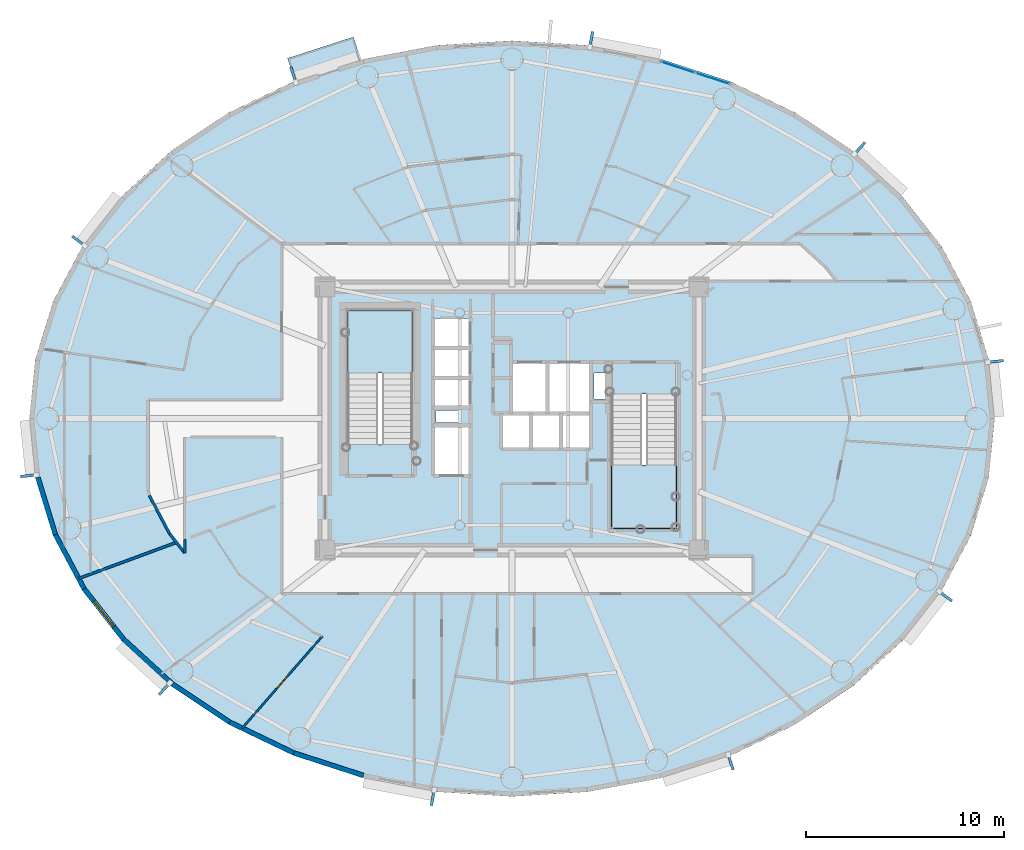
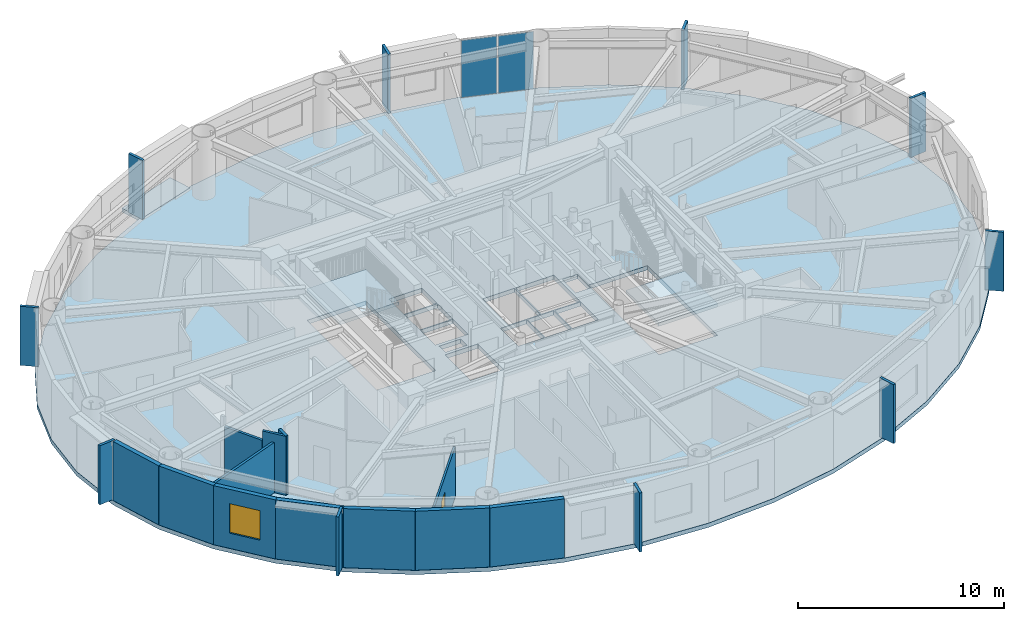
# One storey, part 6 of 19: 12 plates, 12 walls, 4 slabs, 1 door, 1 window, 2 openings, 3 elements without a shape of their own.
"""IFC4 building model written with IfcOpenShell, lengths in metres."""

import ifcopenshell
import ifcopenshell.guid

model = None  # the IFC model being written
_history = None  # IfcOwnerHistory: only IFC2X3 demands one
_inside = {}  # id of a spatial element -> (the spatial element, [elements in it])
_under = {}  # id of a project, library or spatial element -> (it, [spatial elements below it])
_declared = {}  # id of a project -> (the project, [libraries it declares])
_typed = {}  # id of a type object -> (the type object, [elements of that type])
_made_of = {}  # id of a material, layer set ... -> (it, [elements and type objects made of it])


def new_model(schema):
    """Start an empty IFC model of exactly this schema.

    Asked for "IFC4X3", IfcOpenShell would pick the latest addendum, in which some entities
    have other attributes; the version numbers below select the first issue.
    IFC2X3 requires an IfcOwnerHistory on every rooted entity: one is made here for all.
    """
    global model, _history
    if schema == "IFC4X3":
        model = ifcopenshell.file(schema_version=(4, 3, 0, 0))
    else:
        model = ifcopenshell.file(schema=schema)
    _inside.clear()
    _under.clear()
    _declared.clear()
    _typed.clear()
    _made_of.clear()
    _history = None
    if model.schema == "IFC2X3":
        org = make("IfcOrganization", Name="unknown")
        user = make(
            "IfcPersonAndOrganization",
            ThePerson=make("IfcPerson", FamilyName="unknown"),
            TheOrganization=org,
        )
        app = make(
            "IfcApplication",
            ApplicationDeveloper=org,
            Version="unknown",
            ApplicationFullName="unknown",
            ApplicationIdentifier="unknown",
        )
        _history = make(
            "IfcOwnerHistory",
            OwningUser=user,
            OwningApplication=app,
            ChangeAction="ADDED",
            CreationDate=0,
        )
    return model


def make(cls, **values):
    """One entity of the class cls with the attributes given. An attribute that is None is left unset."""
    return model.create_entity(
        cls, **{name: value for name, value in values.items() if value is not None}
    )


def rooted(cls, **values):
    """An entity with a GlobalId (a new one), such as an element, a storey or a relation."""
    return make(cls, GlobalId=ifcopenshell.guid.new(), OwnerHistory=_history, **values)


def si_unit(unit_type, name, prefix=None):
    """IfcSIUnit, for example si_unit("LENGTHUNIT", "METRE", prefix="MILLI")."""
    return make("IfcSIUnit", UnitType=unit_type, Prefix=prefix, Name=name)


def assignment(units):
    """IfcUnitAssignment: the units of a project."""
    return None if units is None else make("IfcUnitAssignment", Units=units)


def point(xyz):
    """IfcCartesianPoint."""
    return None if xyz is None else make("IfcCartesianPoint", Coordinates=xyz)


def direction(xyz):
    """IfcDirection."""
    return None if xyz is None else make("IfcDirection", DirectionRatios=xyz)


def frame(location, z_axis=None, x_axis=None):
    """IfcAxis2Placement3D, a coordinate frame: its origin and axes. An axis left out is left unset."""
    return make(
        "IfcAxis2Placement3D",
        Location=point(location),
        Axis=direction(z_axis),
        RefDirection=direction(x_axis),
    )


def frame_2d(location, x_axis=None):
    """IfcAxis2Placement2D, a coordinate frame in the plane: its origin and x axis."""
    return make(
        "IfcAxis2Placement2D", Location=point(location), RefDirection=direction(x_axis)
    )


def origin():
    """The frame at (0, 0, 0) with its axes left unset."""
    return frame((0.0, 0.0, 0.0))


def origin_2d():
    """The frame at (0, 0) in the plane with its x axis left unset."""
    return frame_2d((0.0, 0.0))


def place(relative_to, where):
    """IfcLocalPlacement: puts the frame where relative to a parent placement (None: the world)."""
    return make(
        "IfcLocalPlacement", PlacementRelTo=relative_to, RelativePlacement=where
    )


def context(
    kind, dimensions, precision=None, world=None, true_north=None, identifier=None
):
    """IfcGeometricRepresentationContext, for example the 3D "Model" context."""
    return make(
        "IfcGeometricRepresentationContext",
        ContextIdentifier=identifier,
        ContextType=kind,
        CoordinateSpaceDimension=dimensions,
        Precision=precision,
        WorldCoordinateSystem=world,
        TrueNorth=true_north,
    )


def subcontext(parent, identifier, kind, view, scale=None):
    """IfcGeometricRepresentationSubContext, for example "Body" below "Model"."""
    return make(
        "IfcGeometricRepresentationSubContext",
        ContextIdentifier=identifier,
        ContextType=kind,
        ParentContext=parent,
        TargetScale=scale,
        TargetView=view,
    )


def project(units=None, contexts=None):
    """IfcProject with its units and contexts."""
    return rooted(
        "IfcProject",
        Name="project",
        RepresentationContexts=contexts,
        UnitsInContext=assignment(units),
    )


def spatial(cls, under=None, at=None, **own):
    """A site, building, storey or space (cls), placed at a placement, below another one or the project."""
    s = rooted(cls, ObjectPlacement=at, **own)
    if under is not None:
        _under.setdefault(under.id(), (under, []))[1].append(s)
    return s


def polyline(points):
    """IfcPolyline through the points."""
    return make("IfcPolyline", Points=[point(p) for p in points])


def profile(cls, at=None, kind="AREA", **sizes):
    """A parametric profile (cls). Its sizes go by their IFC names, for example OverallWidth=200.0."""
    return make(cls, ProfileType=kind, Position=at, **sizes)


def rectangle(**sizes):
    """IfcRectangleProfileDef."""
    return profile("IfcRectangleProfileDef", **sizes)


def outline(outer, holes=None, kind="AREA"):
    """IfcArbitraryClosedProfileDef: a profile drawn as a closed curve; with holes, ...WithVoids."""
    if holes is None:
        return make("IfcArbitraryClosedProfileDef", ProfileType=kind, OuterCurve=outer)
    return make(
        "IfcArbitraryProfileDefWithVoids",
        ProfileType=kind,
        OuterCurve=outer,
        InnerCurves=holes,
    )


def extrude(swept, where, along, depth):
    """IfcExtrudedAreaSolid: the profile swept, set in the frame where, extruded along a direction by depth."""
    return make(
        "IfcExtrudedAreaSolid",
        SweptArea=swept,
        Position=where,
        ExtrudedDirection=direction(along),
        Depth=depth,
    )


def shape(context_of_items, identifier, shape_type, items):
    """IfcShapeRepresentation: the items that make up one representation, for example the "Body"."""
    return make(
        "IfcShapeRepresentation",
        ContextOfItems=context_of_items,
        RepresentationIdentifier=identifier,
        RepresentationType=shape_type,
        Items=items,
    )


def source(mapping_origin, context_of_items, identifier, shape_type, items):
    """IfcRepresentationMap: a shape defined once, which mapped items show again and again."""
    return make(
        "IfcRepresentationMap",
        MappingOrigin=mapping_origin,
        MappedRepresentation=shape(context_of_items, identifier, shape_type, items),
    )


def transform(
    local_origin,
    x_axis=None,
    y_axis=None,
    z_axis=None,
    scale=None,
    scale2=None,
    scale3=None,
    uniform=True,
):
    """IfcCartesianTransformationOperator3D, or its non-uniform kind. x_axis, y_axis, z_axis: its Axis1, 2, 3."""
    if uniform:
        return make(
            "IfcCartesianTransformationOperator3D",
            Axis1=direction(x_axis),
            Axis2=direction(y_axis),
            LocalOrigin=point(local_origin),
            Scale=scale,
            Axis3=direction(z_axis),
        )
    return make(
        "IfcCartesianTransformationOperator3DnonUniform",
        Axis1=direction(x_axis),
        Axis2=direction(y_axis),
        LocalOrigin=point(local_origin),
        Scale=scale,
        Axis3=direction(z_axis),
        Scale2=scale2,
        Scale3=scale3,
    )


def mapped(mapping_source, mapping_target):
    """IfcMappedItem: shows the shape of a source again, moved by a transform."""
    return make(
        "IfcMappedItem", MappingSource=mapping_source, MappingTarget=mapping_target
    )


def material(Name=None, Category=None):
    """IfcMaterial."""
    return make("IfcMaterial", Name=Name, Category=Category)


def layer(
    of_material, thickness, ventilated=None, Name=None, Category=None, Priority=None
):
    """IfcMaterialLayer: one layer of a wall or slab, of a material (None: an air gap)."""
    return make(
        "IfcMaterialLayer",
        Material=of_material,
        LayerThickness=thickness,
        IsVentilated=ventilated,
        Name=Name,
        Category=Category,
        Priority=Priority,
    )


def layer_set(layers, Name=None):
    """IfcMaterialLayerSet."""
    return make("IfcMaterialLayerSet", MaterialLayers=layers, LayerSetName=Name)


def made_of(thing, what):
    """Note that an element or type object is made of a material, layer set ...; save() writes the relation."""
    if what is not None:
        _made_of.setdefault(what.id(), (what, []))[1].append(thing)
    return thing


def type_object(cls, material=None, **own):
    """A type object (cls), such as IfcWallType, which elements share."""
    return made_of(rooted(cls, **own), material)


def element(
    cls,
    number,
    at=None,
    inside=None,
    cuts=None,
    type_object=None,
    material=None,
    context=None,
    identifier="Body",
    shape_type=None,
    held_by="IfcProductDefinitionShape",
    body=None,
    shapes=None,
    **own,
):
    """One element of the class cls, such as IfcWall. Its Tag is "e" and its number.

    at: its placement. inside: the storey or other place that contains it. cuts: it is an
    opening in that element (IfcRelVoidsElement). A single representation is given by context,
    identifier, shape_type and body (its items); several are given by shapes. held_by: the class
    of the entity that holds the representations. save() writes the other relations.
    """
    e = rooted(cls, Tag="e%d" % number, ObjectPlacement=at, **own)
    if body is not None:
        shapes = [shape(context, identifier, shape_type, body)]
    if shapes is not None:
        e.Representation = make(held_by, Representations=shapes)
    if inside is not None:
        _inside.setdefault(inside.id(), (inside, []))[1].append(e)
    if cuts is not None:
        rooted(
            "IfcRelVoidsElement", RelatingBuildingElement=cuts, RelatedOpeningElement=e
        )
    if type_object is not None:
        _typed.setdefault(type_object.id(), (type_object, []))[1].append(e)
    return made_of(e, material)


def fill(opening, filler):
    """IfcRelFillsElement: the door or window that sits in an opening."""
    return rooted(
        "IfcRelFillsElement",
        RelatingOpeningElement=opening,
        RelatedBuildingElement=filler,
    )


def aggregate(whole, parts):
    """IfcRelAggregates: a whole, such as a stair, and the parts it consists of."""
    return rooted("IfcRelAggregates", RelatingObject=whole, RelatedObjects=parts)


def save(model, path):
    """Write the relations noted so far, then the file.

    IfcRelAggregates (storeys below a building ...), IfcRelContainedInSpatialStructure (elements
    in a storey), IfcRelDefinesByType, IfcRelAssociatesMaterial and IfcRelDeclares: one each for
    every whole, place, type object, material and project.
    """
    for whole, parts in _under.values():
        aggregate(whole, parts)
    for where, things in _inside.values():
        rooted(
            "IfcRelContainedInSpatialStructure",
            RelatedElements=things,
            RelatingStructure=where,
        )
    for kind, things in _typed.values():
        rooted("IfcRelDefinesByType", RelatedObjects=things, RelatingType=kind)
    for what, things in _made_of.values():
        rooted("IfcRelAssociatesMaterial", RelatedObjects=things, RelatingMaterial=what)
    for by, libraries in _declared.values():
        rooted("IfcRelDeclares", RelatingContext=by, RelatedDefinitions=libraries)
    model.write(path)


model = new_model("IFC4")

# Units and contexts
model_context = context("Model", 3, precision=1e-05, world=origin(), true_north=direction((0.0, 1.0)))
body_context = subcontext(model_context, "Body", "Model", "MODEL_VIEW")
ifc_project = project(units=[si_unit("LENGTHUNIT", "METRE"), si_unit("AREAUNIT", "SQUARE_METRE"), si_unit("VOLUMEUNIT", "CUBIC_METRE"), si_unit("PLANEANGLEUNIT", "RADIAN"), si_unit("MASSUNIT", "GRAM", prefix="KILO")], contexts=[model_context])

# Site, building, storey
site_placement = place(None, origin())
site = spatial("IfcSite", under=ifc_project, at=site_placement, CompositionType="ELEMENT")
building_placement = place(site_placement, origin())
building = spatial("IfcBuilding", under=site, at=building_placement, Name="Linh Dai School and Residence Tower", CompositionType="ELEMENT")
storey_placement = place(building_placement, frame((0.0, 0.0, 217.800048828125)))
storey = spatial("IfcBuildingStorey", under=building, at=storey_placement, Name="L53", CompositionType="ELEMENT", Elevation=217.800048828125)

# Slabs
ifc_material_1 = material(Name="Concrete B45 (C35/45)", Category="concrete")
ifc_layer_1 = layer(ifc_material_1, 0.219970703125)
ifc_layer_set_1 = layer_set([ifc_layer_1], Name="Concrete B45 (C35/45)")
slab_type_1 = type_object("IfcSlabType", Name="SLB-BALC-220", PredefinedType="FLOOR", material=ifc_layer_set_1)
slab_1_placement = place(storey_placement, frame((0.0, 0.0, -0.219970703125)))
element("IfcSlab", 1, at=slab_1_placement, inside=storey, type_object=slab_type_1, Name="L53 Sliding Balcony Slab 13", PredefinedType="FLOOR", context=body_context, shape_type="SweptSolid", body=[
    extrude(outline(polyline([(25.05029296875, 43.980224609375), (28.3818359375, 45.060791015625), (27.980712890625, 46.29736328125), (24.649169921875, 45.216796875), (25.05029296875, 43.980224609375)])), origin(), (0.0, 0.0, 1.0), 0.219970703125),
])
ifc_layer_2 = layer(ifc_material_1, 0.25)
ifc_layer_set_2 = layer_set([ifc_layer_2], Name="Concrete B45 (C35/45)")
slab_type_2 = type_object("IfcSlabType", Name="SLB-FLR250", PredefinedType="FLOOR", material=ifc_layer_set_2)
slab_2_placement = place(storey_placement, frame((0.0, 0.0, -0.25)))
element("IfcSlab", 2, at=slab_2_placement, inside=storey, type_object=slab_type_2, Name="L53 Composite Structural Floor Slab", PredefinedType="FLOOR", context=body_context, shape_type="SweptSolid", body=[
    extrude(outline(polyline([(60.39990234375, 27.0), (60.099609375, 29.98876953125), (59.205810546875, 32.90380859375), (57.740478515625, 35.673583984375), (55.739990234375, 38.229736328125), (53.25341796875, 40.50927734375), (50.342041015625, 42.456298828125), (47.077392578125, 44.022705078125), (43.5400390625, 45.169921875), (39.81689453125, 45.869873046875), (36.0, 46.10498046875), (32.18310546875, 45.869873046875), (28.4599609375, 45.169921875), (24.922607421875, 44.022705078125), (21.657958984375, 42.456298828125), (18.74658203125, 40.50927734375), (16.260009765625, 38.229736328125), (14.259521484375, 35.673583984375), (12.794189453125, 32.90380859375), (11.900390625, 29.98876953125), (11.60009765625, 27.0), (11.900390625, 24.01123046875), (12.794189453125, 21.09619140625), (14.259521484375, 18.326416015625), (16.260009765625, 15.770263671875), (18.74658203125, 13.49072265625), (21.657958984375, 11.543701171875), (24.922607421875, 9.977294921875), (28.4599609375, 8.830078125), (32.18310546875, 8.130126953125), (36.0, 7.89501953125), (39.81689453125, 8.130126953125), (43.5400390625, 8.830078125), (47.077392578125, 9.977294921875), (50.342041015625, 11.543701171875), (53.25341796875, 13.49072265625), (55.739990234375, 15.770263671875), (57.740478515625, 18.326416015625), (59.205810546875, 21.09619140625), (60.099609375, 24.01123046875), (60.39990234375, 27.0)]), holes=[polyline([(30.97998046875, 25.699951171875), (30.97998046875, 32.5), (27.679931640625, 32.5), (27.679931640625, 25.699951171875), (30.97998046875, 25.699951171875)]), polyline([(41.02001953125, 28.25), (41.02001953125, 21.449951171875), (44.320068359375, 21.449951171875), (44.320068359375, 28.25), (41.02001953125, 28.25)]), polyline([(35.97998046875, 27.280029296875), (37.77001953125, 27.280029296875), (37.77001953125, 29.820068359375), (35.97998046875, 29.820068359375), (35.97998046875, 27.280029296875)]), polyline([(32.030029296875, 24.1298828125), (33.8701171875, 24.1298828125), (33.8701171875, 26.6201171875), (32.030029296875, 26.6201171875), (32.030029296875, 24.1298828125)]), polyline([(37.830078125, 27.280029296875), (39.969970703125, 27.280029296875), (39.969970703125, 29.820068359375), (37.830078125, 29.820068359375), (37.830078125, 27.280029296875)]), polyline([(32.030029296875, 27.580078125), (33.8701171875, 27.580078125), (33.8701171875, 29.030029296875), (32.030029296875, 29.030029296875), (32.030029296875, 27.580078125)]), polyline([(32.030029296875, 29.090087890625), (33.8701171875, 29.090087890625), (33.8701171875, 30.550048828125), (32.030029296875, 30.550048828125), (32.030029296875, 29.090087890625)]), polyline([(32.030029296875, 30.610107421875), (33.8701171875, 30.610107421875), (33.8701171875, 32.070068359375), (32.030029296875, 32.070068359375), (32.030029296875, 30.610107421875)]), polyline([(35.47998046875, 25.47998046875), (36.929931640625, 25.47998046875), (36.929931640625, 27.219970703125), (35.47998046875, 27.219970703125), (35.47998046875, 25.47998046875)]), polyline([(36.989990234375, 25.47998046875), (38.449951171875, 25.47998046875), (38.449951171875, 27.219970703125), (36.989990234375, 27.219970703125), (36.989990234375, 25.47998046875)]), polyline([(38.510009765625, 25.47998046875), (39.969970703125, 25.47998046875), (39.969970703125, 27.219970703125), (38.510009765625, 27.219970703125), (38.510009765625, 25.47998046875)]), polyline([(40.14990234375, 28.0), (40.14990234375, 29.300048828125), (41.0, 29.300048828125), (41.0, 28.280029296875), (40.989990234375, 28.280029296875), (40.989990234375, 28.0), (40.14990234375, 28.0)]), polyline([(32.14990234375, 26.800048828125), (33.35009765625, 26.800048828125), (33.35009765625, 27.39990234375), (32.14990234375, 27.39990234375), (32.14990234375, 26.800048828125)])]), origin(), (0.0, 0.0, 1.0), 0.25),
])

# Stair, slab
stair_type = type_object("IfcStairType", Name="ST-DOG-1550-R1442", PredefinedType="HALF_TURN_STAIR", material=ifc_material_1)
stair_1_placement = place(storey_placement, origin())
stair_1 = element("IfcStair", 3, at=stair_1_placement, inside=storey, type_object=stair_type, Name="L53 Core Smokeproof Exit Stair ST1", PredefinedType="HALF_TURN_STAIR")
ifc_layer_3 = layer(ifc_material_1, 0.199951171875)
ifc_layer_set_3 = layer_set([ifc_layer_3], Name="Concrete B45 (C35/45)")
slab_type_3 = type_object("IfcSlabType", Name="SLB-ST-LANDING-200", PredefinedType="LANDING", material=ifc_layer_set_3)
slab_3_placement = place(storey_placement, frame((0.0, 0.0, 1.675048828125)))
slab_3 = element("IfcSlab", 4, at=slab_3_placement, type_object=slab_type_3, Name="ST1 landing 1", PredefinedType="LANDING", context=body_context, shape_type="SweptSolid", body=[
    extrude(outline(polyline([(30.97998046875, 29.300048828125), (30.97998046875, 32.5), (27.679931640625, 32.5), (27.679931640625, 29.300048828125), (30.97998046875, 29.300048828125)])), origin(), (0.0, 0.0, 1.0), 0.199951171875),
])
aggregate(stair_1, [slab_3])

stair_2_placement = place(storey_placement, origin())
stair_2 = element("IfcStair", 5, at=stair_2_placement, inside=storey, type_object=stair_type, Name="L53 Core Smokeproof Exit Stair ST2", PredefinedType="HALF_TURN_STAIR")
slab_4_placement = place(storey_placement, frame((0.0, 0.0, 1.675048828125)))
slab_4 = element("IfcSlab", 6, at=slab_4_placement, type_object=slab_type_3, Name="ST2 landing 1", PredefinedType="LANDING", context=body_context, shape_type="SweptSolid", body=[
    extrude(outline(polyline([(41.02001953125, 24.64990234375), (41.02001953125, 21.449951171875), (44.320068359375, 21.449951171875), (44.320068359375, 24.64990234375), (41.02001953125, 24.64990234375)])), origin(), (0.0, 0.0, 1.0), 0.199951171875),
])
aggregate(stair_2, [slab_4])

# Plates
ifc_material_2 = material(Name="Precast Concrete B45 (C35/45)", Category="concrete")
ifc_layer_4 = layer(ifc_material_2, 0.139892578125)
ifc_layer_set_4 = layer_set([ifc_layer_4], Name="Precast Concrete B45 (C35/45)")
plate_type_1 = type_object("IfcPlateType", Name="FIN-TC-900x140", PredefinedType="USERDEFINED", material=ifc_layer_set_4)
shared_shape_1 = source(origin(), body_context, "Body", "SweptSolid", [
    extrude(rectangle(XDim=0.89990234375, YDim=0.139892578125, at=origin_2d()), origin(), (0.0, 0.0, 1.0), 3.5),
])
for number, where, z_axis, x_axis, name in (
    (7, (60.39697265625, 29.885498046875, 0.0), (0.0, 0.0, 1.0), (0.99498620644, 0.100012244219, 0.0), "L53 Precast Terracotta Radial Fin 01"),
    (8, (53.541748046875, 40.632080078125, 0.0), (0.0, 0.0, 1.0), (0.675757574408, 0.737123938446, 0.0), "L53 Precast Terracotta Radial Fin 05"),
    (9, (39.995361328125, 46.12646484375, 0.0), (0.0, 0.0, 1.0), (0.18474448537, 0.982786586765, 0.0), "L53 Precast Terracotta Radial Fin 09"),
    (10, (24.95654296875, 44.33349609375, 0.0), (0.0, 0.0, 1.0), (-0.308501065272, 0.951223997135, 0.0), "L53 Precast Terracotta Radial Fin 13"),
    (11, (14.115234375, 35.952392578125, 0.0), (0.0, 0.0, 1.0), (-0.787486677066, 0.616331674867, 0.0), "L53 Precast Terracotta Radial Fin 17"),
    (12, (11.60302734375, 24.114501953125, 0.0), (0.0, 0.0, 1.0), (-0.99498620644, -0.100012244219, 0.0), "L53 Precast Terracotta Radial Fin 21"),
    (13, (18.458251953125, 13.367919921875, 0.0), (0.0, 0.0, 1.0), (-0.675756089102, -0.737125300096, 0.0), "L53 Precast Terracotta Radial Fin 25"),
    (14, (32.004638671875, 7.87353515625, 0.0), (0.0, 0.0, 1.0), (-0.18474448537, -0.982786586765, 0.0), "L53 Precast Terracotta Radial Fin 29"),
    (15, (47.04345703125, 9.66650390625, 0.0), (0.0, 0.0, 1.0), (0.308501065272, -0.951223997135, 0.0), "L53 Precast Terracotta Radial Fin 33"),
    (16, (57.884765625, 18.047607421875, 0.0), (0.0, 0.0, 1.0), (0.787485171888, -0.616333598027, 0.0), "L53 Precast Terracotta Radial Fin 37"),
):
    element("IfcPlate", number, at=place(storey_placement, frame(where, z_axis=z_axis, x_axis=x_axis)), inside=storey, type_object=plate_type_1, Name=name, ObjectType="RADIAL FIN", PredefinedType="USERDEFINED", context=body_context, shape_type="MappedRepresentation", body=[
        mapped(shared_shape_1, transform((0.0, 0.0, 0.0), x_axis=(1.0, 0.0, 0.0), y_axis=(0.0, 1.0, 0.0), z_axis=(0.0, 0.0, 1.0), scale=1.0)),
    ])

# Curtain wall, plates
ifc_material_3 = material(Name="Aluminium Anodised Curtain Wall", Category="aluminium")
ifc_layer_5 = layer(ifc_material_3, 0.14990234375)
ifc_layer_set_5 = layer_set([ifc_layer_5], Name="Aluminium Anodised Curtain Wall")
curtain_wall_type = type_object("IfcCurtainWallType", Name="CW-SYS-4", PredefinedType="USERDEFINED", material=ifc_layer_set_5)
curtain_wall_placement = place(storey_placement, origin())
curtain_wall = element("IfcCurtainWall", 17, at=curtain_wall_placement, inside=storey, type_object=curtain_wall_type, Name="L53 CW4 Curtain Wall 08", ObjectType="RIBBON CURTAIN WALL", PredefinedType="USERDEFINED")
ifc_material_4 = material(Name="Double Low-E Insulated Glazing", Category="glass")
ifc_layer_6 = layer(ifc_material_4, 0.02587890625)
ifc_layer_set_6 = layer_set([ifc_layer_6], Name="Double Low-E Insulated Glazing")
plate_type_2 = type_object("IfcPlateType", Name="CW-SYS-4-PAN", PredefinedType="CURTAIN_PANEL", material=ifc_layer_set_6)
shared_shape_2 = source(origin(), body_context, "Body", "SweptSolid", [
    extrude(rectangle(XDim=1.773193359375, YDim=0.02587890625, at=origin_2d()), origin(), (0.0, 0.0, 1.0), 3.39599609375),
])
plate_1_placement = place(storey_placement, frame((44.402099609375, 44.75927734375, 0.052001953125), z_axis=(0.0, 0.0, 1.0), x_axis=(0.951223997135, -0.308501065272, 0.0)))
plate_1 = element("IfcPlate", 18, at=plate_1_placement, type_object=plate_type_2, Name="CW4 panel 1.1", PredefinedType="CURTAIN_PANEL", context=body_context, shape_type="MappedRepresentation", body=[
    mapped(shared_shape_2, transform((0.0, 0.0, 0.0), x_axis=(1.0, 0.0, 0.0), y_axis=(0.0, 1.0, 0.0), z_axis=(0.0, 0.0, 1.0), scale=1.0)),
])
plate_2_placement = place(storey_placement, frame((46.13818359375, 44.196044921875, 0.052001953125), z_axis=(0.0, 0.0, 1.0), x_axis=(0.951223997135, -0.308501065272, 0.0)))
plate_2 = element("IfcPlate", 19, at=plate_2_placement, type_object=plate_type_2, Name="CW4 panel 2.1", PredefinedType="CURTAIN_PANEL", context=body_context, shape_type="MappedRepresentation", body=[
    mapped(shared_shape_2, transform((0.0, 0.0, 0.0), x_axis=(1.0, 0.0, 0.0), y_axis=(0.0, 1.0, 0.0), z_axis=(0.0, 0.0, 1.0), scale=1.0)),
])
aggregate(curtain_wall, [plate_1, plate_2])

# Walls
ifc_layer_7 = layer(ifc_material_2, 0.239990234375)
ifc_layer_set_7 = layer_set([ifc_layer_7], Name="Precast Concrete B45 (C35/45)")
wall_type_1 = type_object("IfcWallType", Name="EW-TC-240", PredefinedType="SOLIDWALL", material=ifc_layer_set_7)
wall_1_placement = place(storey_placement, frame((12.90966796875, 21.14404296875, 0.0), z_axis=(0.0, 0.0, 1.0), x_axis=(-0.293132907334, 0.95607170162, 0.0)))
element("IfcWall", 20, at=wall_1_placement, inside=storey, type_object=wall_type_1, Name="L53 Terracotta Exterior Wall 22", PredefinedType="SOLIDWALL", context=body_context, shape_type="SweptSolid", body=[
    extrude(rectangle(XDim=3.02490234375, YDim=0.239990234375, at=frame_2d((1.512451171875, 0.0))), origin(), (0.0, 0.0, 1.0), 3.5),
])
wall_2_placement = place(storey_placement, frame((14.3642578125, 18.394775390625, 0.0), z_axis=(0.0, 0.0, 1.0), x_axis=(-0.46766049993, 0.883908172157, 0.0)))
element("IfcWall", 21, at=wall_2_placement, inside=storey, type_object=wall_type_1, Name="L53 Terracotta Exterior Wall 23", PredefinedType="SOLIDWALL", context=body_context, shape_type="SweptSolid", body=[
    extrude(rectangle(XDim=3.1103515625, YDim=0.239990234375, at=frame_2d((1.55517578125, 0.0))), origin(), (0.0, 0.0, 1.0), 3.5),
])

# Wall, opening, window
wall_3_placement = place(storey_placement, frame((16.3515625, 15.85546875, 0.0), z_axis=(0.0, 0.0, 1.0), x_axis=(-0.616312344705, 0.787501805562, 0.0)))
wall_3 = element("IfcWall", 22, at=wall_3_placement, inside=storey, type_object=wall_type_1, Name="L53 Terracotta Exterior Wall 24", PredefinedType="SOLIDWALL", context=body_context, shape_type="SweptSolid", body=[
    extrude(rectangle(XDim=3.224609375, YDim=0.239990234375, at=frame_2d((1.6123046875, 0.0))), origin(), (0.0, 0.0, 1.0), 3.5),
])
opening_1_placement = place(wall_3_placement, frame((0.81201171875, 0.0, 0.89990234375)))
opening_1 = element("IfcOpeningElement", 23, at=opening_1_placement, cuts=wall_3, Name="Opening W2", PredefinedType="OPENING", context=body_context, shape_type="SweptSolid", body=[
    extrude(rectangle(XDim=1.60009765625, YDim=1.75, at=origin_2d()), frame((0.800048828125, 0.1298828125, 0.875), z_axis=(0.0, -1.0, 0.0), x_axis=(1.0, 0.0, 0.0)), (0.0, 0.0, 1.0), 0.260009765625),
])
window_type = type_object("IfcWindowType", Name="WN-RES-1600x1750", PartitioningType="DOUBLE_PANEL_VERTICAL", PredefinedType="WINDOW", material=ifc_material_4)
shared_shape_3 = source(origin(), body_context, "Body", "SweptSolid", [
    extrude(rectangle(XDim=1.60009765625, YDim=1.75, at=origin_2d()), frame((0.800048828125, 0.030029296875, 0.875), z_axis=(0.0, -1.0, 0.0), x_axis=(1.0, 0.0, 0.0)), (0.0, 0.0, 1.0), 0.06005859375),
])
window_placement = place(opening_1_placement, origin())
window = element("IfcWindow", 24, at=window_placement, inside=storey, type_object=window_type, Name="L53 Exterior Window 24.1", OverallHeight=1.75, OverallWidth=1.60009765625, PartitioningType="DOUBLE_PANEL_VERTICAL", PredefinedType="WINDOW", context=body_context, shape_type="MappedRepresentation", body=[
    mapped(shared_shape_3, transform((0.0, 0.0, 0.0), x_axis=(1.0, 0.0, 0.0), y_axis=(0.0, 1.0, 0.0), z_axis=(0.0, 0.0, 1.0), scale=1.0)),
])
fill(opening_1, window)

# Walls
wall_4_placement = place(storey_placement, frame((18.82373046875, 13.589111328125, 0.0), z_axis=(0.0, 0.0, 1.0), x_axis=(-0.737123922599, 0.675757591694, 0.0)))
element("IfcWall", 25, at=wall_4_placement, inside=storey, type_object=wall_type_1, Name="L53 Terracotta Exterior Wall 25", PredefinedType="SOLIDWALL", context=body_context, shape_type="SweptSolid", body=[
    extrude(rectangle(XDim=3.353759765625, YDim=0.239990234375, at=frame_2d((1.6767578125, 0.0))), origin(), (0.0, 0.0, 1.0), 3.5),
])
wall_5_placement = place(storey_placement, frame((21.719970703125, 11.65234375, 0.0), z_axis=(0.0, 0.0, 1.0), x_axis=(-0.831262496074, 0.555880079352, 0.0)))
element("IfcWall", 26, at=wall_5_placement, inside=storey, type_object=wall_type_1, Name="L53 Terracotta Exterior Wall 26", PredefinedType="SOLIDWALL", context=body_context, shape_type="SweptSolid", body=[
    extrude(rectangle(XDim=3.484130859375, YDim=0.239990234375, at=frame_2d((1.7421875, 0.0))), origin(), (0.0, 0.0, 1.0), 3.5),
])
wall_6_placement = place(storey_placement, frame((24.968994140625, 10.093505859375, 0.0), z_axis=(0.0, 0.0, 1.0), x_axis=(-0.901598104751, 0.432574684313, 0.0)))
element("IfcWall", 27, at=wall_6_placement, inside=storey, type_object=wall_type_1, Name="L53 Terracotta Exterior Wall 27", PredefinedType="SOLIDWALL", context=body_context, shape_type="SweptSolid", body=[
    extrude(rectangle(XDim=3.603515625, YDim=0.239990234375, at=frame_2d((1.8017578125, 0.0))), origin(), (0.0, 0.0, 1.0), 3.5),
])
wall_7_placement = place(storey_placement, frame((28.49072265625, 8.951171875, 0.0), z_axis=(0.0, 0.0, 1.0), x_axis=(-0.951210789182, 0.308541787354, 0.0)))
element("IfcWall", 28, at=wall_7_placement, inside=storey, type_object=wall_type_1, Name="L53 Terracotta Exterior Wall 28", PredefinedType="SOLIDWALL", context=body_context, shape_type="SweptSolid", body=[
    extrude(rectangle(XDim=3.702392578125, YDim=0.239990234375, at=frame_2d((1.85107421875, 0.0))), origin(), (0.0, 0.0, 1.0), 3.5),
])
ifc_material_5 = material(Name="Autoclaved Aerated Concrete Blockwork", Category="masonry")
ifc_layer_8 = layer(ifc_material_5, 0.135009765625)
ifc_layer_set_8 = layer_set([ifc_layer_8], Name="Autoclaved Aerated Concrete Blockwork")
wall_type_2 = type_object("IfcWallType", Name="IW-CORR-135-EI90", PredefinedType="PARTITIONING", material=ifc_layer_set_8)
wall_8_placement = place(storey_placement, frame((14.084716796875, 18.912109375, 0.0), z_axis=(0.0, 0.0, 1.0), x_axis=(0.938158194698, 0.346206877055, 0.0)))
element("IfcWall", 29, at=wall_8_placement, inside=storey, type_object=wall_type_2, Name="L53 Interior Partition Wall 004", PredefinedType="PARTITIONING", context=body_context, shape_type="SweptSolid", body=[
    extrude(rectangle(XDim=5.2783203125, YDim=0.135009765625, at=frame_2d((2.63916015625, 0.0))), origin(), (0.0, 0.0, 1.0), 2.98486328125),
])
wall_9_placement = place(storey_placement, frame((17.66650390625, 23.111083984375, 0.0), z_axis=(0.0, 0.0, 1.0), x_axis=(0.467675622269, -0.883900171024, 0.0)))
element("IfcWall", 30, at=wall_9_placement, inside=storey, type_object=wall_type_2, Name="L53 Interior Partition Wall 009", PredefinedType="PARTITIONING", context=body_context, shape_type="SweptSolid", body=[
    extrude(rectangle(XDim=2.16845703125, YDim=0.135009765625, at=frame_2d((1.084228515625, 0.0))), origin(), (0.0, 0.0, 1.0), 2.93505859375),
])
wall_10_placement = place(storey_placement, frame((18.6806640625, 21.1943359375, 0.0), z_axis=(0.0, 0.0, 1.0), x_axis=(0.616239706802, -0.787558647823, 0.0)))
element("IfcWall", 31, at=wall_10_placement, inside=storey, type_object=wall_type_2, Name="L53 Interior Partition Wall 012", PredefinedType="PARTITIONING", context=body_context, shape_type="SweptSolid", body=[
    extrude(rectangle(XDim=1.248291015625, YDim=0.135009765625, at=frame_2d((0.6240234375, 0.0))), origin(), (0.0, 0.0, 1.0), 3.5),
])
wall_11_placement = place(storey_placement, frame((19.449951171875, 20.211181640625, 0.0), z_axis=(0.0, 0.0, 1.0), x_axis=(0.0, 1.0, 0.0)))
element("IfcWall", 32, at=wall_11_placement, inside=storey, type_object=wall_type_2, Name="L53 Interior Partition Wall 014", PredefinedType="PARTITIONING", context=body_context, shape_type="SweptSolid", body=[
    extrude(rectangle(XDim=0.680908203125, YDim=0.135009765625, at=frame_2d((0.34033203125, 0.0))), origin(), (0.0, 0.0, 1.0), 3.5),
])

# Wall, opening, door
ifc_material_6 = material(Name="Gypsum Plasterboard Acoustic Stud Partition", Category="masonry")
ifc_layer_9 = layer(ifc_material_6, 0.10009765625)
ifc_layer_set_9 = layer_set([ifc_layer_9], Name="Gypsum Plasterboard Acoustic Stud Partition")
wall_type_3 = type_object("IfcWallType", Name="IW-UNIT-100", PredefinedType="PARTITIONING", material=ifc_layer_set_9)
wall_12_placement = place(storey_placement, frame((22.354736328125, 11.34228515625, 0.0), z_axis=(0.0, 0.0, 1.0), x_axis=(0.657017747133, 0.753875108989, 0.0)))
wall_12 = element("IfcWall", 33, at=wall_12_placement, inside=storey, type_object=wall_type_3, Name="L53 Interior Partition Wall 019", PredefinedType="PARTITIONING", context=body_context, shape_type="SweptSolid", body=[
    extrude(rectangle(XDim=6.177978515625, YDim=0.10009765625, at=frame_2d((3.0888671875, 0.0))), origin(), (0.0, 0.0, 1.0), 2.98486328125),
])
opening_2_placement = place(wall_12_placement, frame((2.638916015625, 0.0, 0.0)))
opening_2 = element("IfcOpeningElement", 34, at=opening_2_placement, cuts=wall_12, Name="Opening D05", PredefinedType="OPENING", context=body_context, shape_type="SweptSolid", body=[
    extrude(rectangle(XDim=0.89990234375, YDim=2.10009765625, at=origin_2d()), frame((0.449951171875, 0.06005859375, 1.050048828125), z_axis=(0.0, -1.0, 0.0), x_axis=(1.0, 0.0, 0.0)), (0.0, 0.0, 1.0), 0.1201171875),
])
ifc_material_7 = material(Name="Engineered Timber Internal Door", Category="wood")
door_type = type_object("IfcDoorType", Name="DR-INT-900x2100", OperationType="NOTDEFINED", PredefinedType="DOOR", material=ifc_material_7)
shared_shape_4 = source(origin(), body_context, "Body", "SweptSolid", [
    extrude(rectangle(XDim=0.89990234375, YDim=2.10009765625, at=origin_2d()), frame((0.449951171875, 0.02490234375, 1.050048828125), z_axis=(0.0, -1.0, 0.0), x_axis=(1.0, 0.0, 0.0)), (0.0, 0.0, 1.0), 0.050048828125),
])
door_placement = place(opening_2_placement, origin())
door = element("IfcDoor", 35, at=door_placement, inside=storey, type_object=door_type, Name="L53 Apartment U5305 Study Door", OperationType="SINGLE_SWING_RIGHT", OverallHeight=2.10009765625, OverallWidth=0.89990234375, PredefinedType="DOOR", context=body_context, shape_type="MappedRepresentation", body=[
    mapped(shared_shape_4, transform((0.0, 0.0, 0.0), x_axis=(1.0, 0.0, 0.0), y_axis=(0.0, 1.0, 0.0), z_axis=(0.0, 0.0, 1.0), scale=1.0)),
])
fill(opening_2, door)

save(model, "model.ifc")
